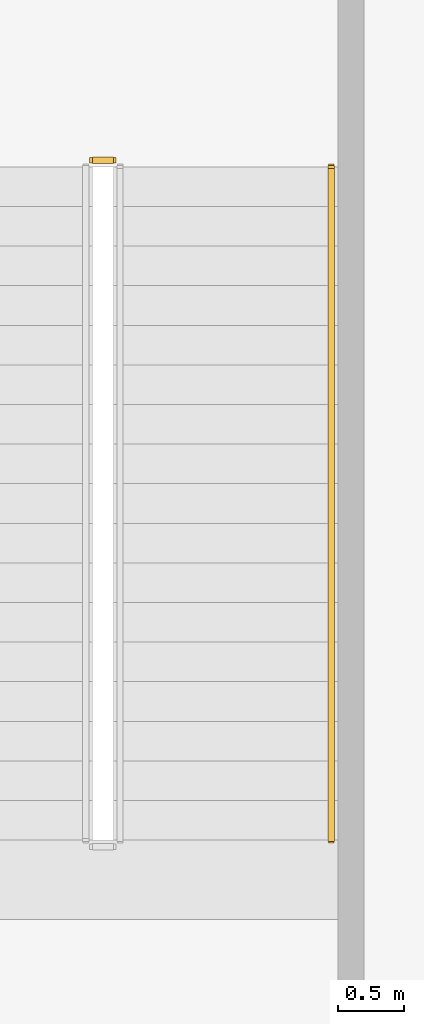
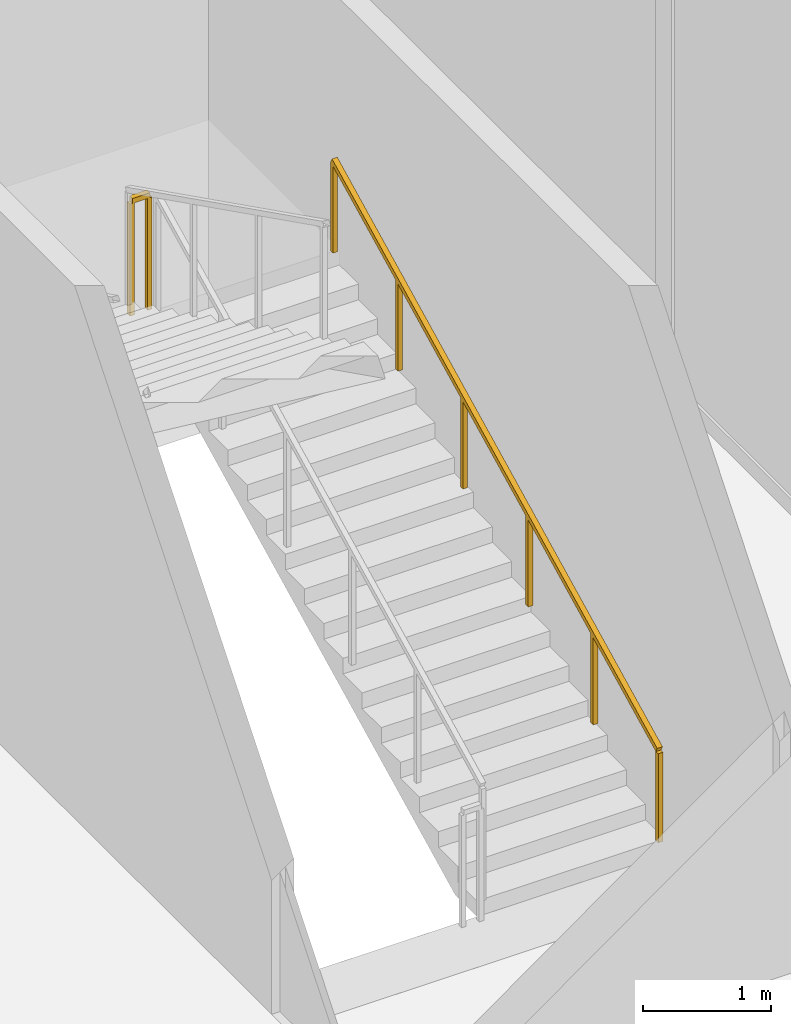
# One storey, part 27 of 28: 2 railings.
"""IFC4 building model written with IfcOpenShell, lengths in metres."""

import ifcopenshell
import ifcopenshell.guid

model = None  # the IFC model being written
_history = None  # IfcOwnerHistory: only IFC2X3 demands one
_inside = {}  # id of a spatial element -> (the spatial element, [elements in it])
_under = {}  # id of a project, library or spatial element -> (it, [spatial elements below it])
_declared = {}  # id of a project -> (the project, [libraries it declares])
_typed = {}  # id of a type object -> (the type object, [elements of that type])
_made_of = {}  # id of a material, layer set ... -> (it, [elements and type objects made of it])


def new_model(schema):
    """Start an empty IFC model of exactly this schema.

    Asked for "IFC4X3", IfcOpenShell would pick the latest addendum, in which some entities
    have other attributes; the version numbers below select the first issue.
    IFC2X3 requires an IfcOwnerHistory on every rooted entity: one is made here for all.
    """
    global model, _history
    if schema == "IFC4X3":
        model = ifcopenshell.file(schema_version=(4, 3, 0, 0))
    else:
        model = ifcopenshell.file(schema=schema)
    _inside.clear()
    _under.clear()
    _declared.clear()
    _typed.clear()
    _made_of.clear()
    _history = None
    if model.schema == "IFC2X3":
        org = make("IfcOrganization", Name="unknown")
        user = make(
            "IfcPersonAndOrganization",
            ThePerson=make("IfcPerson", FamilyName="unknown"),
            TheOrganization=org,
        )
        app = make(
            "IfcApplication",
            ApplicationDeveloper=org,
            Version="unknown",
            ApplicationFullName="unknown",
            ApplicationIdentifier="unknown",
        )
        _history = make(
            "IfcOwnerHistory",
            OwningUser=user,
            OwningApplication=app,
            ChangeAction="ADDED",
            CreationDate=0,
        )
    return model


def make(cls, **values):
    """One entity of the class cls with the attributes given. An attribute that is None is left unset."""
    return model.create_entity(
        cls, **{name: value for name, value in values.items() if value is not None}
    )


def rooted(cls, **values):
    """An entity with a GlobalId (a new one), such as an element, a storey or a relation."""
    return make(cls, GlobalId=ifcopenshell.guid.new(), OwnerHistory=_history, **values)


def si_unit(unit_type, name, prefix=None):
    """IfcSIUnit, for example si_unit("LENGTHUNIT", "METRE", prefix="MILLI")."""
    return make("IfcSIUnit", UnitType=unit_type, Prefix=prefix, Name=name)


def assignment(units):
    """IfcUnitAssignment: the units of a project."""
    return None if units is None else make("IfcUnitAssignment", Units=units)


def point(xyz):
    """IfcCartesianPoint."""
    return None if xyz is None else make("IfcCartesianPoint", Coordinates=xyz)


def direction(xyz):
    """IfcDirection."""
    return None if xyz is None else make("IfcDirection", DirectionRatios=xyz)


def frame(location, z_axis=None, x_axis=None):
    """IfcAxis2Placement3D, a coordinate frame: its origin and axes. An axis left out is left unset."""
    return make(
        "IfcAxis2Placement3D",
        Location=point(location),
        Axis=direction(z_axis),
        RefDirection=direction(x_axis),
    )


def frame_2d(location, x_axis=None):
    """IfcAxis2Placement2D, a coordinate frame in the plane: its origin and x axis."""
    return make(
        "IfcAxis2Placement2D", Location=point(location), RefDirection=direction(x_axis)
    )


def origin():
    """The frame at (0, 0, 0) with its axes left unset."""
    return frame((0.0, 0.0, 0.0))


def origin_2d():
    """The frame at (0, 0) in the plane with its x axis left unset."""
    return frame_2d((0.0, 0.0))


def place(relative_to, where):
    """IfcLocalPlacement: puts the frame where relative to a parent placement (None: the world)."""
    return make(
        "IfcLocalPlacement", PlacementRelTo=relative_to, RelativePlacement=where
    )


def context(
    kind, dimensions, precision=None, world=None, true_north=None, identifier=None
):
    """IfcGeometricRepresentationContext, for example the 3D "Model" context."""
    return make(
        "IfcGeometricRepresentationContext",
        ContextIdentifier=identifier,
        ContextType=kind,
        CoordinateSpaceDimension=dimensions,
        Precision=precision,
        WorldCoordinateSystem=world,
        TrueNorth=true_north,
    )


def subcontext(parent, identifier, kind, view, scale=None):
    """IfcGeometricRepresentationSubContext, for example "Body" below "Model"."""
    return make(
        "IfcGeometricRepresentationSubContext",
        ContextIdentifier=identifier,
        ContextType=kind,
        ParentContext=parent,
        TargetScale=scale,
        TargetView=view,
    )


def project(units=None, contexts=None):
    """IfcProject with its units and contexts."""
    return rooted(
        "IfcProject",
        Name="project",
        RepresentationContexts=contexts,
        UnitsInContext=assignment(units),
    )


def spatial(cls, under=None, at=None, **own):
    """A site, building, storey or space (cls), placed at a placement, below another one or the project."""
    s = rooted(cls, ObjectPlacement=at, **own)
    if under is not None:
        _under.setdefault(under.id(), (under, []))[1].append(s)
    return s


def profile(cls, at=None, kind="AREA", **sizes):
    """A parametric profile (cls). Its sizes go by their IFC names, for example OverallWidth=200.0."""
    return make(cls, ProfileType=kind, Position=at, **sizes)


def rectangle(**sizes):
    """IfcRectangleProfileDef."""
    return profile("IfcRectangleProfileDef", **sizes)


def extrude(swept, where, along, depth):
    """IfcExtrudedAreaSolid: the profile swept, set in the frame where, extruded along a direction by depth."""
    return make(
        "IfcExtrudedAreaSolid",
        SweptArea=swept,
        Position=where,
        ExtrudedDirection=direction(along),
        Depth=depth,
    )


def shape(context_of_items, identifier, shape_type, items):
    """IfcShapeRepresentation: the items that make up one representation, for example the "Body"."""
    return make(
        "IfcShapeRepresentation",
        ContextOfItems=context_of_items,
        RepresentationIdentifier=identifier,
        RepresentationType=shape_type,
        Items=items,
    )


def material(Name=None, Category=None):
    """IfcMaterial."""
    return make("IfcMaterial", Name=Name, Category=Category)


def made_of(thing, what):
    """Note that an element or type object is made of a material, layer set ...; save() writes the relation."""
    if what is not None:
        _made_of.setdefault(what.id(), (what, []))[1].append(thing)
    return thing


def type_object(cls, material=None, **own):
    """A type object (cls), such as IfcWallType, which elements share."""
    return made_of(rooted(cls, **own), material)


def element(
    cls,
    number,
    at=None,
    inside=None,
    cuts=None,
    type_object=None,
    material=None,
    context=None,
    identifier="Body",
    shape_type=None,
    held_by="IfcProductDefinitionShape",
    body=None,
    shapes=None,
    **own,
):
    """One element of the class cls, such as IfcWall. Its Tag is "e" and its number.

    at: its placement. inside: the storey or other place that contains it. cuts: it is an
    opening in that element (IfcRelVoidsElement). A single representation is given by context,
    identifier, shape_type and body (its items); several are given by shapes. held_by: the class
    of the entity that holds the representations. save() writes the other relations.
    """
    e = rooted(cls, Tag="e%d" % number, ObjectPlacement=at, **own)
    if body is not None:
        shapes = [shape(context, identifier, shape_type, body)]
    if shapes is not None:
        e.Representation = make(held_by, Representations=shapes)
    if inside is not None:
        _inside.setdefault(inside.id(), (inside, []))[1].append(e)
    if cuts is not None:
        rooted(
            "IfcRelVoidsElement", RelatingBuildingElement=cuts, RelatedOpeningElement=e
        )
    if type_object is not None:
        _typed.setdefault(type_object.id(), (type_object, []))[1].append(e)
    return made_of(e, material)


def aggregate(whole, parts):
    """IfcRelAggregates: a whole, such as a stair, and the parts it consists of."""
    return rooted("IfcRelAggregates", RelatingObject=whole, RelatedObjects=parts)


def save(model, path):
    """Write the relations noted so far, then the file.

    IfcRelAggregates (storeys below a building ...), IfcRelContainedInSpatialStructure (elements
    in a storey), IfcRelDefinesByType, IfcRelAssociatesMaterial and IfcRelDeclares: one each for
    every whole, place, type object, material and project.
    """
    for whole, parts in _under.values():
        aggregate(whole, parts)
    for where, things in _inside.values():
        rooted(
            "IfcRelContainedInSpatialStructure",
            RelatedElements=things,
            RelatingStructure=where,
        )
    for kind, things in _typed.values():
        rooted("IfcRelDefinesByType", RelatedObjects=things, RelatingType=kind)
    for what, things in _made_of.values():
        rooted("IfcRelAssociatesMaterial", RelatedObjects=things, RelatingMaterial=what)
    for by, libraries in _declared.values():
        rooted("IfcRelDeclares", RelatingContext=by, RelatedDefinitions=libraries)
    model.write(path)


model = new_model("IFC4")

# Units and contexts
model_context = context("Model", 3, precision=1e-05, world=origin(), true_north=direction((0.0, 1.0)))
body_context = subcontext(model_context, "Body", "Model", "MODEL_VIEW")
ifc_project = project(units=[si_unit("LENGTHUNIT", "METRE"), si_unit("AREAUNIT", "SQUARE_METRE"), si_unit("VOLUMEUNIT", "CUBIC_METRE"), si_unit("PLANEANGLEUNIT", "RADIAN"), si_unit("MASSUNIT", "GRAM", prefix="KILO"), si_unit("THERMODYNAMICTEMPERATUREUNIT", "KELVIN"), si_unit("POWERUNIT", "WATT")], contexts=[model_context])

# Site, building, storey
site_placement = place(None, origin())
site = spatial("IfcSite", under=ifc_project, at=site_placement, CompositionType="ELEMENT")
building_placement = place(site_placement, origin())
building = spatial("IfcBuilding", under=site, at=building_placement, Name="Svarakhadi Broadcast Tower", CompositionType="ELEMENT")
storey_placement = place(building_placement, frame((0.0, 0.0, 11.10009765625)))
storey = spatial("IfcBuildingStorey", under=building, at=storey_placement, Name="L02", CompositionType="ELEMENT", Elevation=11.10009765625)

# Railings
ifc_material = material(Name="Anodised Bronze Aluminium AA 6063-T6", Category="aluminium")
railing_type_1 = type_object("IfcRailingType", Name="Guard_Stair_GR01", PredefinedType="GUARDRAIL", material=ifc_material)
railing_1_placement = place(storey_placement, frame((57.860107421875, 20.64990234375, 2.699951171875)))
element("IfcRailing", 1, at=railing_1_placement, inside=storey, type_object=railing_type_1, Name="L02 ST-04 stair guard 2", PredefinedType="GUARDRAIL", context=body_context, shape_type="SweptSolid", body=[
    extrude(rectangle(XDim=0.048095703125, YDim=0.048095703125, at=origin_2d()), frame((0.0, 0.0, 1.09619140625), z_axis=(-1.0, 0.0, 0.0), x_axis=(0.0, -1.0, 0.0)), (0.0, 0.0, 1.0), 0.16015625),
    extrude(rectangle(XDim=0.0419921875, YDim=0.0419921875, at=origin_2d()), origin(), (0.0, 0.0, 1.0), 1.072021484375),
    extrude(rectangle(XDim=0.0419921875, YDim=0.0419921875, at=origin_2d()), frame((-0.16015625, 0.0, 0.0)), (0.0, 0.0, 1.0), 1.072021484375),
])
railing_type_2 = type_object("IfcRailingType", Name="Handrail_Stair_HR01", PredefinedType="HANDRAIL", material=ifc_material)
railing_2_placement = place(storey_placement, frame((59.510009765625, 15.5, 0.14990234375)))
element("IfcRailing", 2, at=railing_2_placement, inside=storey, type_object=railing_type_2, Name="L02 ST-04 stair handrail 1", PredefinedType="HANDRAIL", context=body_context, shape_type="SweptSolid", body=[
    extrude(rectangle(XDim=0.048095703125, YDim=0.048095703125, at=origin_2d()), frame((0.0, 0.0, 0.8759765625), z_axis=(0.0, 0.894427191, 0.4472135955), x_axis=(-1.0, 0.0, 0.0)), (0.0, 0.0, 1.0), 5.7021484375),
    extrude(rectangle(XDim=0.0419921875, YDim=0.0419921875, at=origin_2d()), origin(), (0.0, 0.0, 1.0), 0.851806640625),
    extrude(rectangle(XDim=0.0419921875, YDim=0.0419921875, at=origin_2d()), frame((0.0, 1.02001953125, 0.510009765625)), (0.0, 0.0, 1.0), 0.851806640625),
    extrude(rectangle(XDim=0.0419921875, YDim=0.0419921875, at=origin_2d()), frame((0.0, 2.0400390625, 1.02001953125)), (0.0, 0.0, 1.0), 0.851806640625),
    extrude(rectangle(XDim=0.0419921875, YDim=0.0419921875, at=origin_2d()), frame((0.0, 3.06005859375, 1.530029296875)), (0.0, 0.0, 1.0), 0.851806640625),
    extrude(rectangle(XDim=0.0419921875, YDim=0.0419921875, at=origin_2d()), frame((0.0, 4.080078125, 2.0400390625)), (0.0, 0.0, 1.0), 0.851806640625),
    extrude(rectangle(XDim=0.0419921875, YDim=0.0419921875, at=origin_2d()), frame((0.0, 5.10009765625, 2.550048828125)), (0.0, 0.0, 1.0), 0.851806640625),
])

save(model, "model.ifc")
